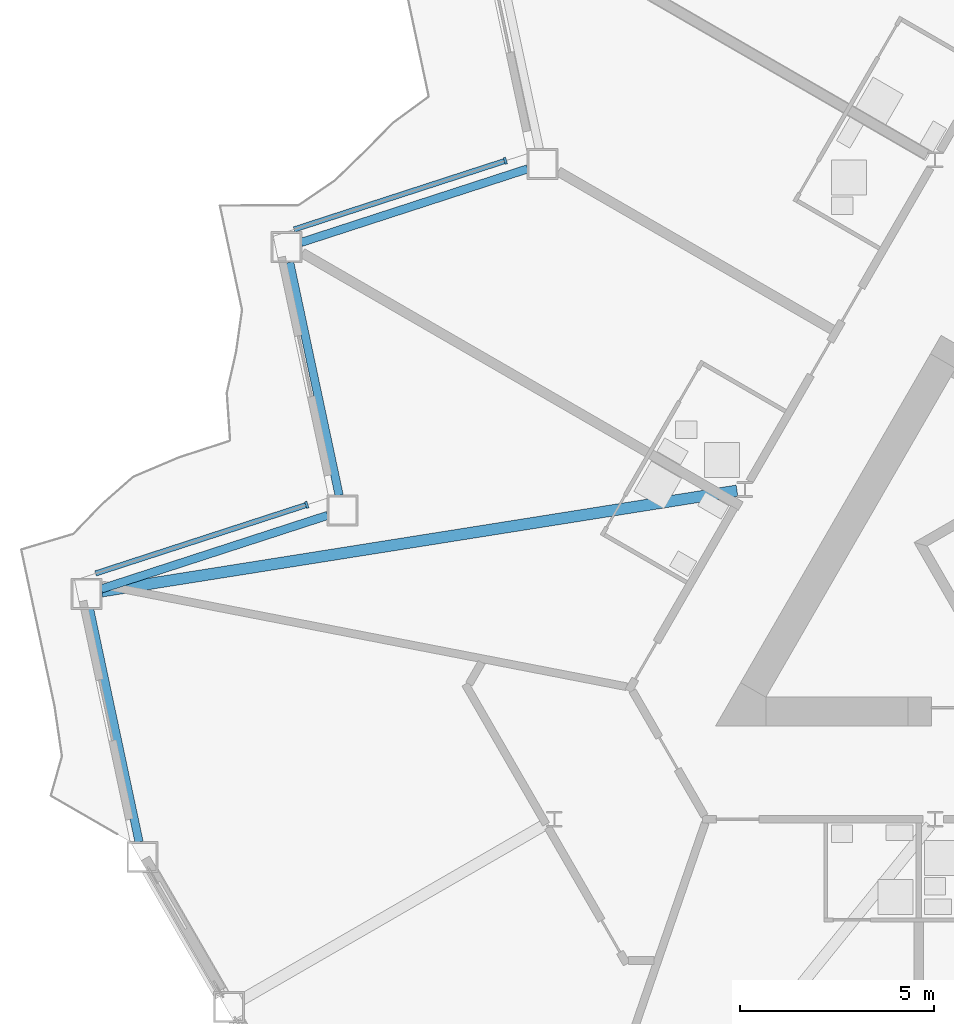
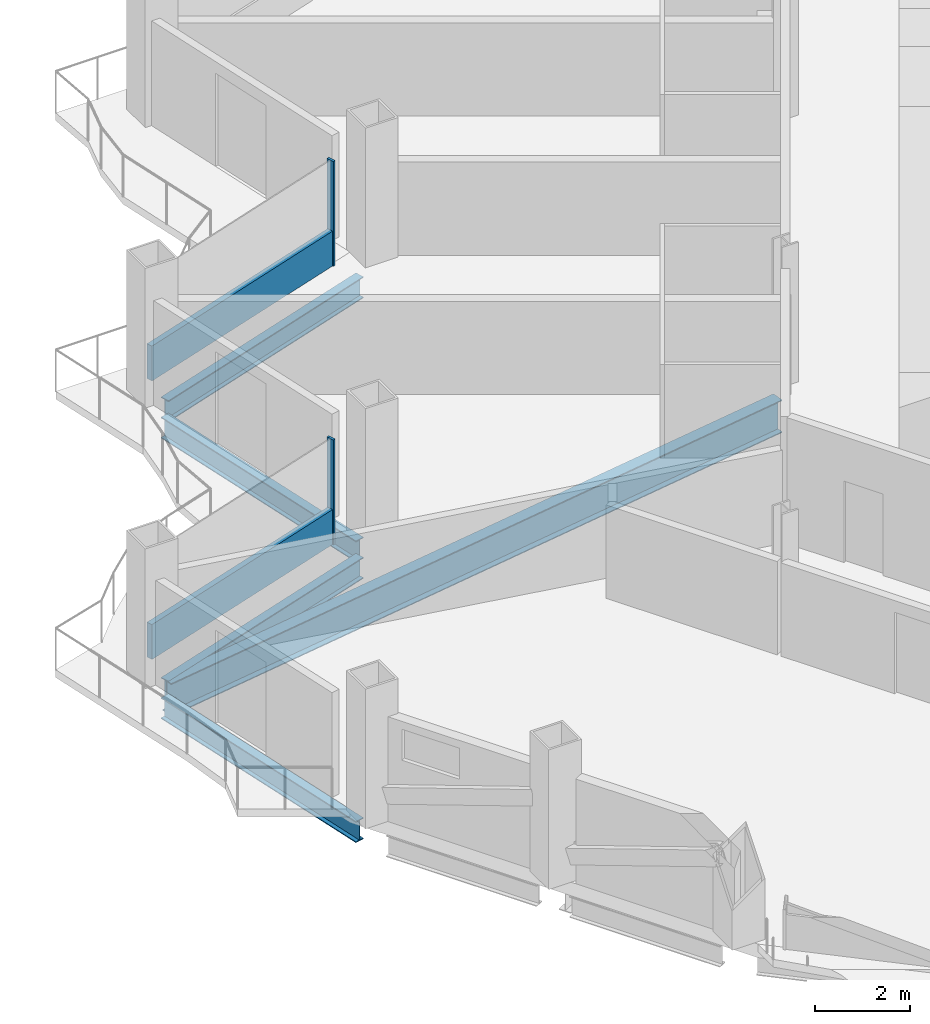
# One storey, part 4 of 23: 5 beams, 4 members, 2 elements without a shape of their own.
"""IFC4 building model written with IfcOpenShell, lengths in metres."""

from ifc_helpers import new_model, si_unit, direction, frame, origin, origin_2d, place, context, subcontext, project, spatial, rectangle, i_section, extrude, material, layer, layer_set, material_profile, profile_set, type_object, element, aggregate, save


model = new_model("IFC4")

# Units and contexts
model_context = context("Model", 3, precision=1e-05, world=origin(), true_north=direction((0.0, 1.0)))
body_context = subcontext(model_context, "Body", "Model", "MODEL_VIEW")
ifc_project = project(units=[si_unit("LENGTHUNIT", "METRE"), si_unit("AREAUNIT", "SQUARE_METRE"), si_unit("VOLUMEUNIT", "CUBIC_METRE"), si_unit("PLANEANGLEUNIT", "RADIAN"), si_unit("MASSUNIT", "GRAM", prefix="KILO")], contexts=[model_context])

# Site, building, storey
site_placement = place(None, origin())
site = spatial("IfcSite", under=ifc_project, at=site_placement, CompositionType="ELEMENT")
building_placement = place(site_placement, origin())
building = spatial("IfcBuilding", under=site, at=building_placement, Name="Cormorant Prow Tower", CompositionType="ELEMENT")
storey_placement = place(building_placement, frame((0.0, 0.0, 180.0)))
storey = spatial("IfcBuildingStorey", under=building, at=storey_placement, Name="L38", CompositionType="ELEMENT", Elevation=180.0)

# Curtain wall, member
ifc_material_1 = material(Name="Aluminium 6063-T6", Category="aluminium")
ifc_layer = layer(ifc_material_1, 0.179931640625)
ifc_layer_set = layer_set([ifc_layer], Name="Aluminium 6063-T6")
curtain_wall_type = type_object("IfcCurtainWallType", Name="Hotel unitised curtain wall 180", PredefinedType="NOTDEFINED", material=ifc_layer_set)
curtain_wall_1_placement = place(storey_placement, origin())
curtain_wall_1 = element("IfcCurtainWall", 1, at=curtain_wall_1_placement, inside=storey, type_object=curtain_wall_type, Name="Hotel curtain wall WNW06", PredefinedType="NOTDEFINED")
ifc_material_2 = material(Name="Aluminium 6063-T6", Category="aluminium")
ifc_material_profile_1 = material_profile(ifc_material_2, rectangle(XDim=0.179931640625, YDim=0.06005859375, at=origin_2d()), Name="Hotel mullion 60x180")
ifc_profile_set_1 = profile_set([ifc_material_profile_1], Name="Aluminium 6063-T6")
member_type_1 = type_object("IfcMemberType", Name="Hotel mullion 60x180", PredefinedType="MULLION", material=ifc_profile_set_1)
member_1_placement = place(storey_placement, frame((-20.921875, 5.645751953125, 0.0), z_axis=(0.0, 0.0, 1.0), x_axis=(0.309016960463, -0.951056527314, 0.0)))
member_1 = element("IfcMember", 2, at=member_1_placement, type_object=member_type_1, Name="Hotel mullion WNW06", PredefinedType="MULLION", context=body_context, shape_type="SweptSolid", body=[
    extrude(rectangle(XDim=0.179931640625, YDim=0.06005859375, at=origin_2d()), origin(), (0.0, 0.0, 1.0), 2.700927734375),
])

curtain_wall_2_placement = place(storey_placement, origin())
curtain_wall_2 = element("IfcCurtainWall", 3, at=curtain_wall_2_placement, inside=storey, type_object=curtain_wall_type, Name="Hotel curtain wall WNW08", PredefinedType="NOTDEFINED")
member_2_placement = place(storey_placement, frame((-26.049072265625, -3.234619140625, 0.0), z_axis=(0.0, 0.0, 1.0), x_axis=(0.309016960463, -0.951056527314, 0.0)))
member_2 = element("IfcMember", 4, at=member_2_placement, type_object=member_type_1, Name="Hotel mullion WNW08", PredefinedType="MULLION", context=body_context, shape_type="SweptSolid", body=[
    extrude(rectangle(XDim=0.179931640625, YDim=0.06005859375, at=origin_2d()), origin(), (0.0, 0.0, 1.0), 2.700927734375),
])

# Member
ifc_material_3 = material(Name="Terracotta", Category="masonry")
ifc_material_profile_2 = material_profile(ifc_material_3, rectangle(XDim=0.139892578125, YDim=0.89990234375, at=origin_2d()), Name="Hotel terracotta spandrel rail 140x900")
ifc_profile_set_2 = profile_set([ifc_material_profile_2], Name="Terracotta")
member_type_2 = type_object("IfcMemberType", Name="Hotel terracotta spandrel rail 140x900", PredefinedType="USERDEFINED", material=ifc_profile_set_2)
member_3_placement = place(storey_placement, frame((-20.950439453125, 5.636474609375, 0.449951171875), z_axis=(-0.951065836987, -0.308988306764, 0.0), x_axis=(0.308988306764, -0.951065836987, 0.0)))
member_3 = element("IfcMember", 5, at=member_3_placement, type_object=member_type_2, Name="Hotel spandrel rail WNW06", ObjectType="TRANSOM", PredefinedType="USERDEFINED", context=body_context, shape_type="SweptSolid", body=[
    extrude(rectangle(XDim=0.139892578125, YDim=0.89990234375, at=origin_2d()), origin(), (0.0, 0.0, 1.0), 5.703125),
])

aggregate(curtain_wall_1, [member_1, member_3])

member_4_placement = place(storey_placement, frame((-26.07763671875, -3.243896484375, 0.449951171875), z_axis=(-0.951053256447, -0.309027026975, 0.0), x_axis=(0.309027026975, -0.951053256447, 0.0)))
member_4 = element("IfcMember", 6, at=member_4_placement, type_object=member_type_2, Name="Hotel spandrel rail WNW08", ObjectType="TRANSOM", PredefinedType="USERDEFINED", context=body_context, shape_type="SweptSolid", body=[
    extrude(rectangle(XDim=0.139892578125, YDim=0.89990234375, at=origin_2d()), origin(), (0.0, 0.0, 1.0), 5.703125),
])

aggregate(curtain_wall_2, [member_2, member_4])

# Beams
ifc_material_4 = material(Name="Structural steel ASTM A992 Gr 50", Category="steel")
ifc_material_profile_3 = material_profile(ifc_material_4, i_section(OverallWidth=0.29296875, OverallDepth=0.845703125, WebThickness=0.015380859375, FlangeThickness=0.0244140625, at=origin_2d()), Name="W33x141")
ifc_profile_set_3 = profile_set([ifc_material_profile_3], Name="Structural steel ASTM A992 Gr 50")
beam_type_1 = type_object("IfcBeamType", Name="Radial floor beam W33x141", PredefinedType="BEAM", material=ifc_profile_set_3)
beam_1_placement = place(storey_placement, frame((-14.94384765625, -2.869140625, -0.77294921875), z_axis=(-0.987678058302, -0.156499371084, 0.0), x_axis=(0.156499371084, -0.987678058302, 0.0)))
element("IfcBeam", 7, at=beam_1_placement, inside=storey, type_object=beam_type_1, Name="Radial floor beam FB2 4 L38", PredefinedType="BEAM", context=body_context, shape_type="SweptSolid", body=[
    extrude(i_section(OverallWidth=0.29296875, OverallDepth=0.845703125, WebThickness=0.015380859375, FlangeThickness=0.0244140625, at=origin_2d()), origin(), (0.0, 0.0, 1.0), 16.604736328125),
])
ifc_material_5 = material(Name="Structural steel ASTM A992 Gr 50", Category="steel")
ifc_material_profile_4 = material_profile(ifc_material_5, i_section(OverallWidth=0.2138671875, OverallDepth=0.549072265625, WebThickness=0.0146484375, FlangeThickness=0.023681640625, at=origin_2d()), Name="W21x93")
ifc_profile_set_4 = profile_set([ifc_material_profile_4], Name="Structural steel ASTM A992 Gr 50")
beam_type_2 = type_object("IfcBeamType", Name="Spandrel beam W21x93", PredefinedType="SPANDREL", material=ifc_profile_set_4)
beam_2_placement = place(storey_placement, frame((-20.344970703125, 5.439208984375, -0.62451171875), z_axis=(-0.951057696564, -0.309013361859, 0.0), x_axis=(0.309013361859, -0.951057696564, 0.0)))
element("IfcBeam", 8, at=beam_2_placement, inside=storey, type_object=beam_type_2, Name="Spandrel beam SB2 WNW06-WNW07 L38", PredefinedType="SPANDREL", context=body_context, shape_type="SweptSolid", body=[
    extrude(i_section(OverallWidth=0.2138671875, OverallDepth=0.549072265625, WebThickness=0.0146484375, FlangeThickness=0.023681640625, at=origin_2d()), origin(), (0.0, 0.0, 1.0), 6.14990234375),
])
beam_3_placement = place(storey_placement, frame((-26.490966796875, 3.02392578125, -0.62451171875), z_axis=(0.207904811195, -0.978149063018, 0.0), x_axis=(0.978149063018, 0.207904811195, 0.0)))
element("IfcBeam", 9, at=beam_3_placement, inside=storey, type_object=beam_type_2, Name="Spandrel beam SB2 WNW07-WNW08 L38", PredefinedType="SPANDREL", context=body_context, shape_type="SweptSolid", body=[
    extrude(i_section(OverallWidth=0.2138671875, OverallDepth=0.549072265625, WebThickness=0.0146484375, FlangeThickness=0.023681640625, at=origin_2d()), origin(), (0.0, 0.0, 1.0), 6.149658203125),
])
beam_4_placement = place(storey_placement, frame((-25.509765625, -3.50634765625, -0.62451171875), z_axis=(-0.951057696564, -0.309013361859, 0.0), x_axis=(0.309013361859, -0.951057696564, 0.0)))
element("IfcBeam", 10, at=beam_4_placement, inside=storey, type_object=beam_type_2, Name="Spandrel beam SB2 WNW08-WNW09 L38", PredefinedType="SPANDREL", context=body_context, shape_type="SweptSolid", body=[
    extrude(i_section(OverallWidth=0.2138671875, OverallDepth=0.549072265625, WebThickness=0.0146484375, FlangeThickness=0.023681640625, at=origin_2d()), origin(), (0.0, 0.0, 1.0), 6.14990234375),
])
beam_5_placement = place(storey_placement, frame((-31.65576171875, -5.921630859375, -0.62451171875), z_axis=(0.207904811195, -0.978149063018, 0.0), x_axis=(0.978149063018, 0.207904811195, 0.0)))
element("IfcBeam", 11, at=beam_5_placement, inside=storey, type_object=beam_type_2, Name="Spandrel beam SB2 WNW09-WSW00 L38", PredefinedType="SPANDREL", context=body_context, shape_type="SweptSolid", body=[
    extrude(i_section(OverallWidth=0.2138671875, OverallDepth=0.549072265625, WebThickness=0.0146484375, FlangeThickness=0.023681640625, at=origin_2d()), origin(), (0.0, 0.0, 1.0), 6.149658203125),
])

save(model, "model.ifc")
